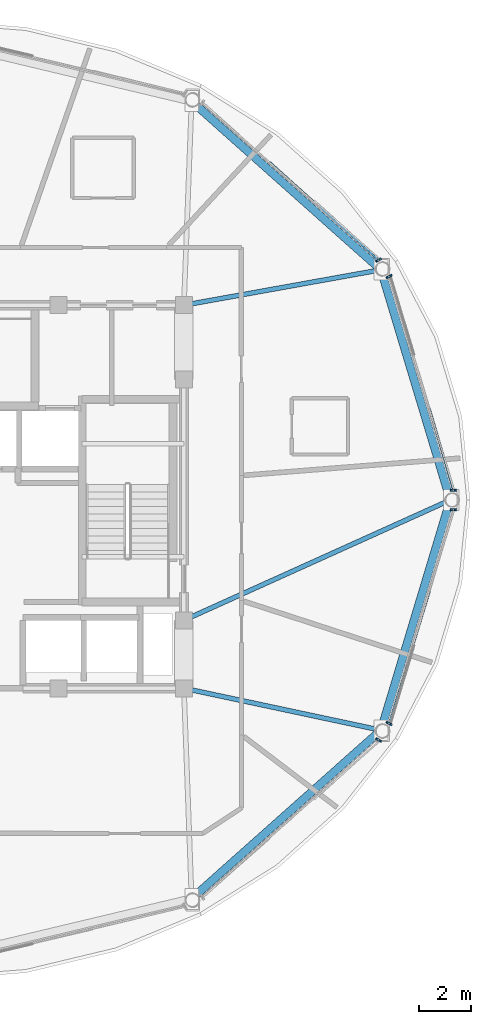
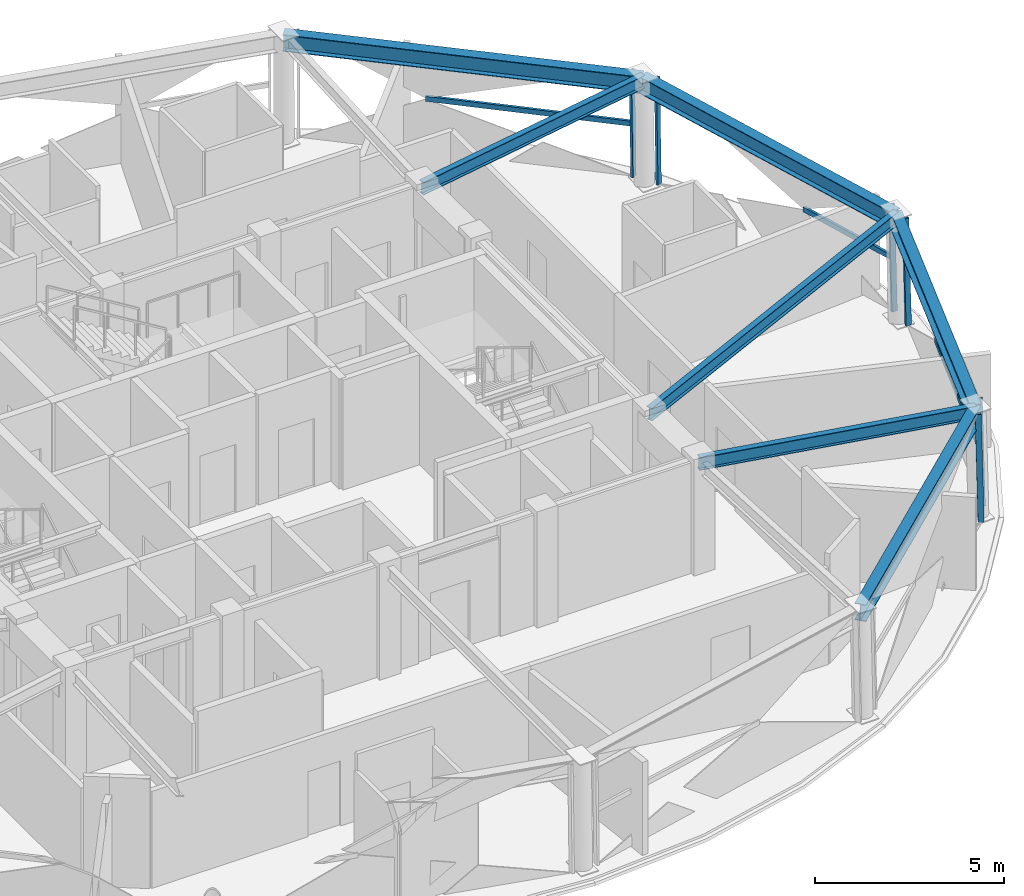
# One storey, part 5 of 15: 9 members, 7 beams, 4 elements without a shape of their own.
"""IFC4 building model written with IfcOpenShell, lengths in metres."""

from ifc_helpers import new_model, si_unit, direction, frame, origin, origin_2d, place, context, subcontext, project, spatial, hollow_rectangle, i_section, extrude, material, layer, layer_set, material_profile, profile_set, type_object, element, aggregate, save


model = new_model("IFC4")

# Units and contexts
model_context = context("Model", 3, precision=1e-05, world=origin(), true_north=direction((0.0, 1.0)))
body_context = subcontext(model_context, "Body", "Model", "MODEL_VIEW")
ifc_project = project(units=[si_unit("LENGTHUNIT", "METRE"), si_unit("AREAUNIT", "SQUARE_METRE"), si_unit("VOLUMEUNIT", "CUBIC_METRE"), si_unit("PLANEANGLEUNIT", "RADIAN"), si_unit("MASSUNIT", "GRAM", prefix="KILO")], contexts=[model_context])

# Site, building, storey
site_placement = place(None, origin())
site = spatial("IfcSite", under=ifc_project, at=site_placement, CompositionType="ELEMENT")
building_placement = place(site_placement, origin())
building = spatial("IfcBuilding", under=site, at=building_placement, Name="Vantalir Tower", CompositionType="ELEMENT")
storey_placement = place(building_placement, frame((0.0, 0.0, 263.85009765625)))
storey = spatial("IfcBuildingStorey", under=building, at=storey_placement, Name="L66", CompositionType="ELEMENT", Elevation=263.85009765625)

# Beams
ifc_material_1 = material(Name="Steel S355", Category="steel")
ifc_material_profile_1 = material_profile(ifc_material_1, i_section(OverallWidth=0.179931640625, OverallDepth=0.4130859375, WebThickness=0.009521484375, FlangeThickness=0.01611328125, at=origin_2d()), Name="Steel S355")
ifc_profile_set_1 = profile_set([ifc_material_profile_1], Name="Steel S355")
beam_type_1 = type_object("IfcBeamType", Name="BM-RB-406x178", PredefinedType="BEAM", material=ifc_profile_set_1)
beam_1_placement = place(storey_placement, frame((51.2900390625, 25.0, 3.364013671875), z_axis=(-0.911431363307, -0.411452147861, 0.0), x_axis=(0.411452147861, -0.911431363307, 0.0)))
element("IfcBeam", 1, at=beam_1_placement, inside=storey, type_object=beam_type_1, Name="L66 Radial Floor Beam 01", PredefinedType="BEAM", context=body_context, shape_type="SweptSolid", body=[
    extrude(i_section(OverallWidth=0.179931640625, OverallDepth=0.4130859375, WebThickness=0.009521484375, FlangeThickness=0.01611328125, at=origin_2d()), origin(), (0.0, 0.0, 1.0), 11.18017578125),
])
beam_2_placement = place(storey_placement, frame((48.638916015625, 33.804931640625, 3.364013671875), z_axis=(-0.984228971585, -0.176899212808, 0.0), x_axis=(0.176899212808, -0.984228971585, 0.0)))
element("IfcBeam", 2, at=beam_2_placement, inside=storey, type_object=beam_type_1, Name="L66 Radial Floor Beam 02", PredefinedType="BEAM", context=body_context, shape_type="SweptSolid", body=[
    extrude(i_section(OverallWidth=0.179931640625, OverallDepth=0.4130859375, WebThickness=0.009521484375, FlangeThickness=0.01611328125, at=origin_2d()), origin(), (0.0, 0.0, 1.0), 7.65966796875),
])
beam_3_placement = place(storey_placement, frame((48.638916015625, 16.194091796875, 3.364013671875), z_axis=(-0.978054321044, 0.208350054206, 0.0), x_axis=(-0.208350054206, -0.978054321044, 0.0)))
element("IfcBeam", 3, at=beam_3_placement, inside=storey, type_object=beam_type_1, Name="L66 Radial Floor Beam 12", PredefinedType="BEAM", context=body_context, shape_type="SweptSolid", body=[
    extrude(i_section(OverallWidth=0.179931640625, OverallDepth=0.4130859375, WebThickness=0.009521484375, FlangeThickness=0.01611328125, at=origin_2d()), origin(), (0.0, 0.0, 1.0), 7.7080078125),
])
ifc_material_2 = material(Name="Steel S460", Category="steel")
ifc_material_profile_2 = material_profile(ifc_material_2, i_section(OverallWidth=0.31201171875, OverallDepth=0.5419921875, WebThickness=0.0126953125, FlangeThickness=0.020263671875, at=origin_2d()), Name="Steel S460")
ifc_profile_set_2 = profile_set([ifc_material_profile_2], Name="Steel S460")
beam_type_2 = type_object("IfcBeamType", Name="BM-RG-533x312", PredefinedType="USERDEFINED", material=ifc_profile_set_2)
beam_4_placement = place(storey_placement, frame((51.2900390625, 25.0, 3.298828125), z_axis=(-0.288309885085, 0.957537158633, 0.0), x_axis=(-0.957537158633, -0.288309885085, 0.0)))
element("IfcBeam", 4, at=beam_4_placement, inside=storey, type_object=beam_type_2, Name="L66 Circumferential Ring Girder 01", ObjectType="GIRDER", PredefinedType="USERDEFINED", context=body_context, shape_type="SweptSolid", body=[
    extrude(i_section(OverallWidth=0.31201171875, OverallDepth=0.5419921875, WebThickness=0.0126953125, FlangeThickness=0.020263671875, at=origin_2d()), origin(), (0.0, 0.0, 1.0), 9.1953125),
])
beam_5_placement = place(storey_placement, frame((48.638916015625, 33.804931640625, 3.298828125), z_axis=(-0.746999414148, 0.664824695136, 0.0), x_axis=(-0.664824695136, -0.746999414148, 0.0)))
element("IfcBeam", 5, at=beam_5_placement, inside=storey, type_object=beam_type_2, Name="L66 Circumferential Ring Girder 02", ObjectType="GIRDER", PredefinedType="USERDEFINED", context=body_context, shape_type="SweptSolid", body=[
    extrude(i_section(OverallWidth=0.31201171875, OverallDepth=0.5419921875, WebThickness=0.0126953125, FlangeThickness=0.020263671875, at=origin_2d()), origin(), (0.0, 0.0, 1.0), 9.697265625),
])
beam_6_placement = place(storey_placement, frame((41.39501953125, 9.748046875, 3.298828125), z_axis=(0.747049427526, 0.664768495668, 0.0), x_axis=(-0.664768495668, 0.747049427526, 0.0)))
element("IfcBeam", 6, at=beam_6_placement, inside=storey, type_object=beam_type_2, Name="L66 Circumferential Ring Girder 11", ObjectType="GIRDER", PredefinedType="USERDEFINED", context=body_context, shape_type="SweptSolid", body=[
    extrude(i_section(OverallWidth=0.31201171875, OverallDepth=0.5419921875, WebThickness=0.0126953125, FlangeThickness=0.020263671875, at=origin_2d()), origin(), (0.0, 0.0, 1.0), 9.69677734375),
])
beam_7_placement = place(storey_placement, frame((48.638916015625, 16.194091796875, 3.298828125), z_axis=(0.288280569221, 0.95754598501, 0.0), x_axis=(-0.95754598501, 0.288280569221, 0.0)))
element("IfcBeam", 7, at=beam_7_placement, inside=storey, type_object=beam_type_2, Name="L66 Circumferential Ring Girder 12", ObjectType="GIRDER", PredefinedType="USERDEFINED", context=body_context, shape_type="SweptSolid", body=[
    extrude(i_section(OverallWidth=0.31201171875, OverallDepth=0.5419921875, WebThickness=0.0126953125, FlangeThickness=0.020263671875, at=origin_2d()), origin(), (0.0, 0.0, 1.0), 9.1962890625),
])

# Curtain wall, members
ifc_material_3 = material(Name="Champagne-silver PVDF aluminium and double-silver Low-E glass", Category="aluminium")
ifc_layer = layer(ifc_material_3, 0.219970703125)
ifc_layer_set = layer_set([ifc_layer], Name="Champagne-silver PVDF aluminium and double-silver Low-E glass")
curtain_wall_type = type_object("IfcCurtainWallType", Name="CW-DIAMOND-Z4", PredefinedType="USERDEFINED", material=ifc_layer_set)
curtain_wall_1_placement = place(storey_placement, origin())
curtain_wall_1 = element("IfcCurtainWall", 8, at=curtain_wall_1_placement, inside=storey, type_object=curtain_wall_type, Name="L66 Quilted Pyramid-Diamond Curtain Wall S01", ObjectType="UNITISED CURTAIN WALL", PredefinedType="USERDEFINED")
ifc_material_4 = material(Name="Champagne-silver PVDF aluminium 6063-T6", Category="aluminium")
ifc_material_profile_3 = material_profile(ifc_material_4, hollow_rectangle(XDim=0.070068359375, YDim=0.1650390625, WallThickness=0.00390625, at=origin_2d()), Name="Champagne-silver PVDF aluminium 6063-T6")
ifc_profile_set_3 = profile_set([ifc_material_profile_3], Name="Champagne-silver PVDF aluminium 6063-T6")
member_type_1 = type_object("IfcMemberType", Name="CWM-165x70", PredefinedType="MULLION", material=ifc_profile_set_3)
member_1_placement = place(storey_placement, frame((51.447998046875, 25.373046875, 0.044921875), z_axis=(-0.023004994726, 0.0, 0.999735350089), x_axis=(0.0, -1.0, 0.0)))
member_1 = element("IfcMember", 9, at=member_1_placement, type_object=member_type_1, Name="CW-L66-S01 Mullion 1", PredefinedType="MULLION", context=body_context, shape_type="SweptSolid", body=[
    extrude(hollow_rectangle(XDim=0.070068359375, YDim=0.1650390625, WallThickness=0.00390625, at=origin_2d()), origin(), (0.0, 0.0, 1.0), 3.48095703125),
])
member_2_placement = place(storey_placement, frame((48.98388671875, 33.56298828125, 0.044921875), z_axis=(-0.019778998325, -0.010310328914, 0.999751213224), x_axis=(0.462243581644, -0.886752993358, 0.0)))
member_2 = element("IfcMember", 10, at=member_2_placement, type_object=member_type_1, Name="CW-L66-S01 Mullion 2", PredefinedType="MULLION", context=body_context, shape_type="SweptSolid", body=[
    extrude(hollow_rectangle(XDim=0.070068359375, YDim=0.1650390625, WallThickness=0.00390625, at=origin_2d()), origin(), (0.0, 0.0, 1.0), 3.48095703125),
])

# Curtain wall, member
curtain_wall_2_placement = place(storey_placement, origin())
curtain_wall_2 = element("IfcCurtainWall", 11, at=curtain_wall_2_placement, inside=storey, type_object=curtain_wall_type, Name="L66 Quilted Pyramid-Diamond Curtain Wall S02", ObjectType="UNITISED CURTAIN WALL", PredefinedType="USERDEFINED")
member_3_placement = place(storey_placement, frame((48.5810546875, 34.195068359375, 0.044921875), z_axis=(-0.01984909463, -0.010380445248, 0.999749098424), x_axis=(0.463421877407, -0.886137779096, 0.0)))
member_3 = element("IfcMember", 12, at=member_3_placement, type_object=member_type_1, Name="CW-L66-S02 Mullion 1", PredefinedType="MULLION", context=body_context, shape_type="SweptSolid", body=[
    extrude(hollow_rectangle(XDim=0.070068359375, YDim=0.1650390625, WallThickness=0.00390625, at=origin_2d()), origin(), (0.0, 0.0, 1.0), 3.48095703125),
])

curtain_wall_3_placement = place(storey_placement, origin())
curtain_wall_3 = element("IfcCurtainWall", 13, at=curtain_wall_3_placement, inside=storey, type_object=curtain_wall_type, Name="L66 Quilted Pyramid-Diamond Curtain Wall S11", ObjectType="UNITISED CURTAIN WALL", PredefinedType="USERDEFINED")
member_4_placement = place(storey_placement, frame((48.5810546875, 15.804931640625, 0.044921875), z_axis=(-0.019849151655, 0.01009992169, 0.999751970621), x_axis=(-0.453501133358, -0.891255699585, 0.0)))
member_4 = element("IfcMember", 14, at=member_4_placement, type_object=member_type_1, Name="CW-L66-S11 Mullion 2", PredefinedType="MULLION", context=body_context, shape_type="SweptSolid", body=[
    extrude(hollow_rectangle(XDim=0.070068359375, YDim=0.1650390625, WallThickness=0.00390625, at=origin_2d()), origin(), (0.0, 0.0, 1.0), 3.48095703125),
])
aggregate(curtain_wall_3, [member_4])

# Curtain wall, members
curtain_wall_4_placement = place(storey_placement, origin())
curtain_wall_4 = element("IfcCurtainWall", 15, at=curtain_wall_4_placement, inside=storey, type_object=curtain_wall_type, Name="L66 Quilted Pyramid-Diamond Curtain Wall S12", ObjectType="UNITISED CURTAIN WALL", PredefinedType="USERDEFINED")
member_5_placement = place(storey_placement, frame((48.98388671875, 16.43701171875, 0.044921875), z_axis=(-0.01977905476, 0.010029804364, 0.999754065767), x_axis=(-0.452266765539, -0.891882712462, 0.0)))
member_5 = element("IfcMember", 16, at=member_5_placement, type_object=member_type_1, Name="CW-L66-S12 Mullion 1", PredefinedType="MULLION", context=body_context, shape_type="SweptSolid", body=[
    extrude(hollow_rectangle(XDim=0.070068359375, YDim=0.1650390625, WallThickness=0.00390625, at=origin_2d()), origin(), (0.0, 0.0, 1.0), 3.48095703125),
])
member_6_placement = place(storey_placement, frame((51.447998046875, 24.626953125, 0.044921875), z_axis=(-0.023004994726, 0.0, 0.999735350089), x_axis=(0.0, -1.0, 0.0)))
member_6 = element("IfcMember", 17, at=member_6_placement, type_object=member_type_1, Name="CW-L66-S12 Mullion 2", PredefinedType="MULLION", context=body_context, shape_type="SweptSolid", body=[
    extrude(hollow_rectangle(XDim=0.070068359375, YDim=0.1650390625, WallThickness=0.00390625, at=origin_2d()), origin(), (0.0, 0.0, 1.0), 3.48095703125),
])

# Member
ifc_material_profile_4 = material_profile(ifc_material_4, hollow_rectangle(XDim=0.074951171875, YDim=0.159912109375, WallThickness=0.00390625, at=origin_2d()), Name="Champagne-silver PVDF aluminium 6063-T6")
ifc_profile_set_4 = profile_set([ifc_material_profile_4], Name="Champagne-silver PVDF aluminium 6063-T6")
member_type_2 = type_object("IfcMemberType", Name="CWT-160x75", PredefinedType="USERDEFINED", material=ifc_profile_set_4)
member_7_placement = place(storey_placement, frame((51.407958984375, 25.373046875, 1.784912109375), z_axis=(-0.281093392926, 0.959680417875, 0.0), x_axis=(-0.959680417875, -0.281093392926, 0.0)))
member_7 = element("IfcMember", 18, at=member_7_placement, type_object=member_type_2, Name="CW-L66-S01 Pyramid Fold Ridge Transom", ObjectType="TRANSOM", PredefinedType="USERDEFINED", context=body_context, shape_type="SweptSolid", body=[
    extrude(hollow_rectangle(XDim=0.074951171875, YDim=0.159912109375, WallThickness=0.00390625, at=origin_2d()), origin(), (0.0, 0.0, 1.0), 3.240478515625),
])

aggregate(curtain_wall_1, [member_1, member_2, member_7])

member_8_placement = place(storey_placement, frame((48.5458984375, 34.177001953125, 1.784912109375), z_axis=(-0.743686373017, 0.668528666992, 0.0), x_axis=(-0.668528666992, -0.743686373017, 0.0)))
member_8 = element("IfcMember", 19, at=member_8_placement, type_object=member_type_2, Name="CW-L66-S02 Pyramid Fold Ridge Transom", ObjectType="TRANSOM", PredefinedType="USERDEFINED", context=body_context, shape_type="SweptSolid", body=[
    extrude(hollow_rectangle(XDim=0.074951171875, YDim=0.159912109375, WallThickness=0.00390625, at=origin_2d()), origin(), (0.0, 0.0, 1.0), 5.60009765625),
])

aggregate(curtain_wall_2, [member_3, member_8])

member_9_placement = place(storey_placement, frame((48.949951171875, 16.455078125, 1.784912109375), z_axis=(0.292286499919, 0.956330801535, 0.0), x_axis=(-0.956330801535, 0.292286499919, 0.0)))
member_9 = element("IfcMember", 20, at=member_9_placement, type_object=member_type_2, Name="CW-L66-S12 Pyramid Fold Ridge Transom", ObjectType="TRANSOM", PredefinedType="USERDEFINED", context=body_context, shape_type="SweptSolid", body=[
    extrude(hollow_rectangle(XDim=0.074951171875, YDim=0.159912109375, WallThickness=0.00390625, at=origin_2d()), origin(), (0.0, 0.0, 1.0), 5.293212890625),
])

aggregate(curtain_wall_4, [member_5, member_6, member_9])

save(model, "model.ifc")
